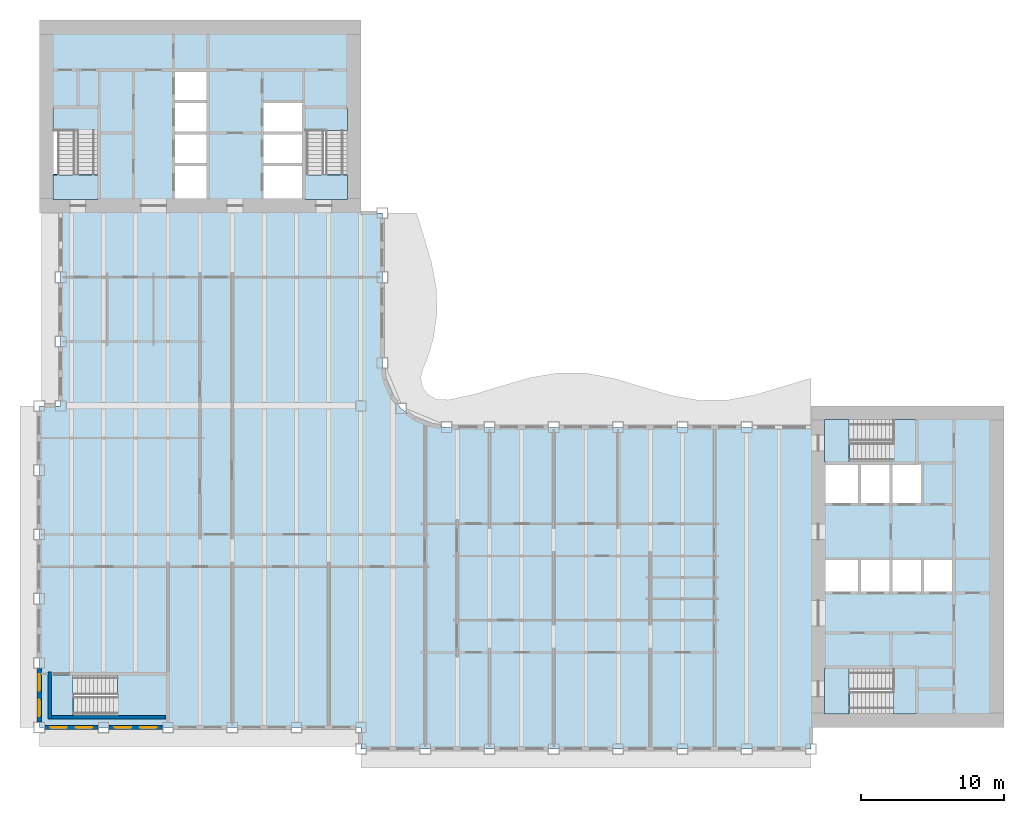
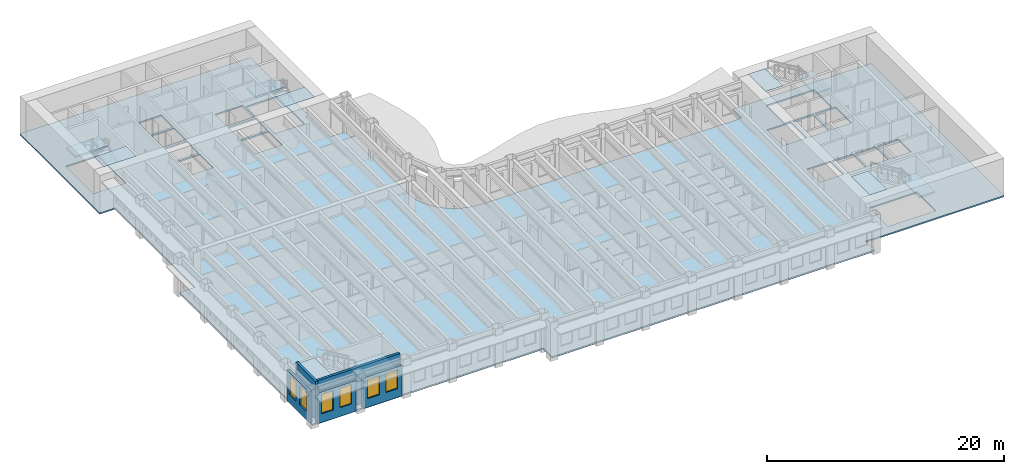
# One storey, part 2 of 16: 11 slabs, 6 windows, 5 walls, 6 openings, 5 elements without a shape of their own.
"""IFC4 building model written with IfcOpenShell, lengths in metres."""

from ifc_helpers import new_model, si_unit, direction, frame, frame_2d, origin, place, context, subcontext, project, spatial, polyline, rectangle, outline, extrude, material, layer, layer_set, type_object, element, fill, aggregate, save


model = new_model("IFC4")

# Units and contexts
model_context = context("Model", 3, precision=1e-05, world=origin(), true_north=direction((0.0, 1.0)))
body_context = subcontext(model_context, "Body", "Model", "MODEL_VIEW")
ifc_project = project(units=[si_unit("LENGTHUNIT", "METRE"), si_unit("AREAUNIT", "SQUARE_METRE"), si_unit("VOLUMEUNIT", "CUBIC_METRE"), si_unit("PLANEANGLEUNIT", "RADIAN"), si_unit("MASSUNIT", "GRAM", prefix="KILO")], contexts=[model_context])

# Site, building, storey
site_placement = place(None, origin())
site = spatial("IfcSite", under=ifc_project, at=site_placement, CompositionType="ELEMENT")
building_placement = place(site_placement, origin())
building = spatial("IfcBuilding", under=site, at=building_placement, Name="Sennacour Bend Tower", CompositionType="ELEMENT")
storey_placement = place(building_placement, frame((0.0, 0.0, 207.0)))
storey = spatial("IfcBuildingStorey", under=building, at=storey_placement, Name="L47", CompositionType="ELEMENT", Elevation=207.0)

# Slabs
ifc_material_1 = material(Name="Concrete C30/37", Category="concrete")
ifc_layer_1 = layer(ifc_material_1, 0.14990234375, Name="Concrete C30/37", Category="concrete")
ifc_layer_set_1 = layer_set([ifc_layer_1], Name="Concrete C30/37")
slab_type_1 = type_object("IfcSlabType", Name="Floor slab 150", PredefinedType="FLOOR", material=ifc_layer_set_1)
slab_1_placement = place(storey_placement, frame((0.0, 0.0, -0.14990234375)))
element("IfcSlab", 1, at=slab_1_placement, inside=storey, type_object=slab_type_1, Name="Floor slab L47-01", PredefinedType="FLOOR", context=body_context, shape_type="SweptSolid", body=[
    extrude(outline(polyline([(22.5, 0.0), (0.0, 0.0), (0.0, 22.5), (1.5, 22.5), (1.5, 36.0), (0.0, 36.0), (0.0, 49.5), (22.5, 49.5), (22.5, 36.0), (24.0, 36.0), (24.0, 25.5), (24.1533203125, 24.335205078125), (24.602783203125, 23.25), (25.318115234375, 22.318115234375), (26.25, 21.602783203125), (27.335205078125, 21.1533203125), (28.5, 21.0), (54.0, 21.0), (54.0, 22.5), (67.5, 22.5), (67.5, 0.0), (54.0, 0.0), (54.0, -1.5), (22.5, -1.5), (22.5, 0.0)]), holes=[polyline([(8.800048828125, 0.949951171875), (8.800048828125, 3.5), (2.429931640625, 3.5), (2.429931640625, 0.949951171875), (8.800048828125, 0.949951171875)]), polyline([(11.699951171875, 37.0), (11.699951171875, 39.300048828125), (9.5, 39.300048828125), (9.5, 37.0), (11.699951171875, 37.0)]), polyline([(18.39990234375, 37.0), (18.39990234375, 39.300048828125), (15.699951171875, 39.300048828125), (15.699951171875, 37.0), (18.39990234375, 37.0)]), polyline([(11.699951171875, 39.5), (11.699951171875, 41.5), (9.5, 41.5), (9.5, 39.5), (11.699951171875, 39.5)]), polyline([(18.39990234375, 39.5), (18.39990234375, 41.5), (15.699951171875, 41.5), (15.699951171875, 39.5), (18.39990234375, 39.5)]), polyline([(4.125, 38.72998046875), (4.125, 43.39990234375), (0.949951171875, 43.39990234375), (0.949951171875, 38.72998046875), (4.125, 38.72998046875)]), polyline([(21.550048828125, 38.72998046875), (21.550048828125, 43.39990234375), (18.574951171875, 43.39990234375), (18.574951171875, 38.72998046875), (21.550048828125, 38.72998046875)]), polyline([(9.5, 41.699951171875), (11.699951171875, 41.699951171875), (11.699951171875, 43.699951171875), (9.5, 43.699951171875), (9.5, 41.699951171875)]), polyline([(15.699951171875, 41.699951171875), (18.39990234375, 41.699951171875), (18.39990234375, 43.699951171875), (15.699951171875, 43.699951171875), (15.699951171875, 41.699951171875)]), polyline([(11.699951171875, 43.89990234375), (11.699951171875, 45.89990234375), (9.5, 45.89990234375), (9.5, 43.89990234375), (11.699951171875, 43.89990234375)]), polyline([(61.39990234375, 0.949951171875), (61.39990234375, 4.125), (56.72998046875, 4.125), (56.72998046875, 0.949951171875), (61.39990234375, 0.949951171875)]), polyline([(57.300048828125, 9.5), (57.300048828125, 11.699951171875), (55.0, 11.699951171875), (55.0, 9.5), (57.300048828125, 9.5)]), polyline([(57.5, 9.5), (59.5, 9.5), (59.5, 11.699951171875), (57.5, 11.699951171875), (57.5, 9.5)]), polyline([(59.699951171875, 9.5), (61.699951171875, 9.5), (61.699951171875, 11.699951171875), (59.699951171875, 11.699951171875), (59.699951171875, 9.5)]), polyline([(63.89990234375, 9.5), (63.89990234375, 11.699951171875), (61.89990234375, 11.699951171875), (61.89990234375, 9.5), (63.89990234375, 9.5)]), polyline([(57.300048828125, 15.699951171875), (57.300048828125, 18.39990234375), (55.0, 18.39990234375), (55.0, 15.699951171875), (57.300048828125, 15.699951171875)]), polyline([(59.5, 15.699951171875), (59.5, 18.39990234375), (57.5, 18.39990234375), (57.5, 15.699951171875), (59.5, 15.699951171875)]), polyline([(59.699951171875, 15.699951171875), (61.699951171875, 15.699951171875), (61.699951171875, 18.39990234375), (59.699951171875, 18.39990234375), (59.699951171875, 15.699951171875)]), polyline([(56.72998046875, 18.574951171875), (61.39990234375, 18.574951171875), (61.39990234375, 21.550048828125), (56.72998046875, 21.550048828125), (56.72998046875, 18.574951171875)])]), origin(), (0.0, 0.0, 1.0), 0.14990234375),
])
ifc_material_2 = material(Name="Concrete C40/50", Category="concrete")
ifc_layer_2 = layer(ifc_material_2, 0.034912109375, Name="Concrete C40/50", Category="concrete")
ifc_layer_set_2 = layer_set([ifc_layer_2], Name="Concrete C40/50")
slab_type_2 = type_object("IfcSlabType", Name="Stair arrival nib 35", PredefinedType="FLOOR", material=ifc_layer_set_2)
slab_2_placement = place(storey_placement, frame((0.0, 0.0, 3.815185546875)))
element("IfcSlab", 2, at=slab_2_placement, inside=storey, type_object=slab_type_2, Name="L47 SA1 stair arrival nib", PredefinedType="FLOOR", context=body_context, shape_type="SweptSolid", body=[
    extrude(outline(polyline([(56.64208984375, 4.125), (54.949951171875, 4.125), (54.949951171875, 0.949951171875), (56.64208984375, 0.949951171875), (56.64208984375, 4.125)])), origin(), (0.0, 0.0, 1.0), 0.034912109375),
])
slab_3_placement = place(storey_placement, frame((0.0, 0.0, 3.815185546875)))
element("IfcSlab", 3, at=slab_3_placement, inside=storey, type_object=slab_type_2, Name="L47 SA2 stair arrival nib", PredefinedType="FLOOR", context=body_context, shape_type="SweptSolid", body=[
    extrude(outline(polyline([(56.64208984375, 21.550048828125), (54.949951171875, 21.550048828125), (54.949951171875, 18.574951171875), (56.64208984375, 18.574951171875), (56.64208984375, 21.550048828125)])), origin(), (0.0, 0.0, 1.0), 0.034912109375),
])
slab_4_placement = place(storey_placement, frame((0.0, 0.0, 3.815185546875)))
element("IfcSlab", 4, at=slab_4_placement, inside=storey, type_object=slab_type_2, Name="L47 SB1 stair arrival nib", PredefinedType="FLOOR", context=body_context, shape_type="SweptSolid", body=[
    extrude(outline(polyline([(0.949951171875, 38.64208984375), (0.949951171875, 36.949951171875), (4.125, 36.949951171875), (4.125, 38.64208984375), (0.949951171875, 38.64208984375)])), origin(), (0.0, 0.0, 1.0), 0.034912109375),
])
slab_5_placement = place(storey_placement, frame((0.0, 0.0, 3.815185546875)))
element("IfcSlab", 5, at=slab_5_placement, inside=storey, type_object=slab_type_2, Name="L47 SB2 stair arrival nib", PredefinedType="FLOOR", context=body_context, shape_type="SweptSolid", body=[
    extrude(outline(polyline([(18.574951171875, 38.64208984375), (18.574951171875, 36.949951171875), (21.550048828125, 36.949951171875), (21.550048828125, 38.64208984375), (18.574951171875, 38.64208984375)])), origin(), (0.0, 0.0, 1.0), 0.034912109375),
])
slab_6_placement = place(storey_placement, frame((0.0, 0.0, 3.815185546875)))
element("IfcSlab", 6, at=slab_6_placement, inside=storey, type_object=slab_type_2, Name="L47 SK1 stair arrival nib", PredefinedType="FLOOR", context=body_context, shape_type="SweptSolid", body=[
    extrude(outline(polyline([(2.342041015625, 3.675048828125), (0.800048828125, 3.675048828125), (0.800048828125, 0.800048828125), (2.342041015625, 0.800048828125), (2.342041015625, 3.675048828125)])), origin(), (0.0, 0.0, 1.0), 0.034912109375),
])

# Stair, slab
stair_type = type_object("IfcStairType", Name="ST-DOGLEG", PredefinedType="HALF_TURN_STAIR", material=ifc_material_2)
stair_1_placement = place(storey_placement, origin())
stair_1 = element("IfcStair", 7, at=stair_1_placement, inside=storey, type_object=stair_type, Name="L47 Exit stair A1", PredefinedType="HALF_TURN_STAIR")
ifc_layer_3 = layer(ifc_material_2, 0.199951171875, Name="Concrete C40/50", Category="concrete")
ifc_layer_set_3 = layer_set([ifc_layer_3], Name="Concrete C40/50")
slab_type_3 = type_object("IfcSlabType", Name="Stair landing 200", PredefinedType="LANDING", material=ifc_layer_set_3)
slab_7_placement = place(storey_placement, frame((0.0, 0.0, 1.800048828125)))
slab_7 = element("IfcSlab", 8, at=slab_7_placement, type_object=slab_type_3, Name="SA1 landing 1", PredefinedType="LANDING", context=body_context, shape_type="SweptSolid", body=[
    extrude(outline(polyline([(59.780029296875, 0.949951171875), (61.324951171875, 0.949951171875), (61.324951171875, 4.125), (59.780029296875, 4.125), (59.780029296875, 0.949951171875)])), origin(), (0.0, 0.0, 1.0), 0.199951171875),
])
aggregate(stair_1, [slab_7])

stair_2_placement = place(storey_placement, origin())
stair_2 = element("IfcStair", 9, at=stair_2_placement, inside=storey, type_object=stair_type, Name="L47 Exit stair A2", PredefinedType="HALF_TURN_STAIR")
slab_8_placement = place(storey_placement, frame((0.0, 0.0, 1.800048828125)))
slab_8 = element("IfcSlab", 10, at=slab_8_placement, type_object=slab_type_3, Name="SA2 landing 1", PredefinedType="LANDING", context=body_context, shape_type="SweptSolid", body=[
    extrude(outline(polyline([(59.780029296875, 18.574951171875), (61.324951171875, 18.574951171875), (61.324951171875, 21.550048828125), (59.780029296875, 21.550048828125), (59.780029296875, 18.574951171875)])), origin(), (0.0, 0.0, 1.0), 0.199951171875),
])
aggregate(stair_2, [slab_8])

stair_3_placement = place(storey_placement, origin())
stair_3 = element("IfcStair", 11, at=stair_3_placement, inside=storey, type_object=stair_type, Name="L47 Exit stair B1", PredefinedType="HALF_TURN_STAIR")
slab_9_placement = place(storey_placement, frame((0.0, 0.0, 1.800048828125)))
slab_9 = element("IfcSlab", 12, at=slab_9_placement, type_object=slab_type_3, Name="SB1 landing 1", PredefinedType="LANDING", context=body_context, shape_type="SweptSolid", body=[
    extrude(outline(polyline([(0.949951171875, 41.780029296875), (4.125, 41.780029296875), (4.125, 43.324951171875), (0.949951171875, 43.324951171875), (0.949951171875, 41.780029296875)])), origin(), (0.0, 0.0, 1.0), 0.199951171875),
])
aggregate(stair_3, [slab_9])

stair_4_placement = place(storey_placement, origin())
stair_4 = element("IfcStair", 13, at=stair_4_placement, inside=storey, type_object=stair_type, Name="L47 Exit stair B2", PredefinedType="HALF_TURN_STAIR")
slab_10_placement = place(storey_placement, frame((0.0, 0.0, 1.800048828125)))
slab_10 = element("IfcSlab", 14, at=slab_10_placement, type_object=slab_type_3, Name="SB2 landing 1", PredefinedType="LANDING", context=body_context, shape_type="SweptSolid", body=[
    extrude(outline(polyline([(18.574951171875, 41.780029296875), (21.550048828125, 41.780029296875), (21.550048828125, 43.324951171875), (18.574951171875, 43.324951171875), (18.574951171875, 41.780029296875)])), origin(), (0.0, 0.0, 1.0), 0.199951171875),
])
aggregate(stair_4, [slab_10])

stair_5_placement = place(storey_placement, origin())
stair_5 = element("IfcStair", 15, at=stair_5_placement, inside=storey, type_object=stair_type, Name="L47 Exit stair K1", PredefinedType="HALF_TURN_STAIR")
slab_11_placement = place(storey_placement, frame((0.0, 0.0, 1.800048828125)))
slab_11 = element("IfcSlab", 16, at=slab_11_placement, type_object=slab_type_3, Name="SK1 landing 1", PredefinedType="LANDING", context=body_context, shape_type="SweptSolid", body=[
    extrude(outline(polyline([(5.47998046875, 0.800048828125), (8.925048828125, 0.800048828125), (8.925048828125, 3.675048828125), (5.47998046875, 3.675048828125), (5.47998046875, 0.800048828125)])), origin(), (0.0, 0.0, 1.0), 0.199951171875),
])
aggregate(stair_5, [slab_11])

# Wall, openings, windows
ifc_material_3 = material(Name="Warm limestone cladding", Category="masonry")
ifc_layer_4 = layer(ifc_material_3, 0.050048828125, Name="Warm limestone cladding", Category="masonry")
ifc_material_4 = material(Name="Precast concrete C40/50", Category="concrete")
ifc_layer_5 = layer(ifc_material_4, 0.25, Name="Precast concrete C40/50", Category="concrete")
ifc_layer_set_4 = layer_set([ifc_layer_4, ifc_layer_5], Name="Precast concrete C40/50 with limestone cladding")
wall_type_1 = type_object("IfcWallType", Name="STONE-CLAD PRECAST SPANDREL 300", PredefinedType="STANDARD", material=ifc_layer_set_4)
wall_1_placement = place(storey_placement, frame((0.0, 4.125, 0.0), z_axis=(0.0, 0.0, 1.0), x_axis=(0.0, -1.0, 0.0)))
wall_1 = element("IfcWall", 17, at=wall_1_placement, inside=storey, type_object=wall_type_1, Name="Stone spandrel and pier wall L47 21.04", PredefinedType="STANDARD", context=body_context, shape_type="SweptSolid", body=[
    extrude(rectangle(XDim=3.75, YDim=0.300048828125, at=frame_2d((1.875, 0.0))), origin(), (0.0, 0.0, 1.0), 3.156982421875),
])
opening_1_placement = place(wall_1_placement, frame((0.41259765625, 0.0, 0.89990234375)))
opening_1 = element("IfcOpeningElement", 18, at=opening_1_placement, cuts=wall_1, Name="Opening W24", PredefinedType="OPENING", context=body_context, shape_type="SweptSolid", body=[
    extrude(rectangle(XDim=1.14990234375, YDim=2.0, at=frame_2d((0.574951171875, 1.0))), frame((0.0, 0.16015625, 0.0), z_axis=(0.0, -1.0, 0.0), x_axis=(1.0, 0.0, 0.0)), (0.0, 0.0, 1.0), 0.320068359375),
])
opening_2_placement = place(wall_1_placement, frame((2.1875, 0.0, 0.89990234375)))
opening_2 = element("IfcOpeningElement", 19, at=opening_2_placement, cuts=wall_1, Name="Opening W24", PredefinedType="OPENING", context=body_context, shape_type="SweptSolid", body=[
    extrude(rectangle(XDim=1.14990234375, YDim=2.0, at=frame_2d((0.574951171875, 1.0))), frame((0.0, 0.16015625, 0.0), z_axis=(0.0, -1.0, 0.0), x_axis=(1.0, 0.0, 0.0)), (0.0, 0.0, 1.0), 0.320068359375),
])
ifc_material_5 = material(Name="Clear low-emissivity glass", Category="glass")
window_type = type_object("IfcWindowType", Name="WIN-RIBBON-1150x2000", PartitioningType="SINGLE_PANEL", PredefinedType="WINDOW", material=ifc_material_5)
window_1_placement = place(opening_1_placement, origin())
window_1 = element("IfcWindow", 20, at=window_1_placement, inside=storey, type_object=window_type, Name="Ribbon window L47 21.04.0", OverallHeight=2.0, OverallWidth=1.14990234375, PartitioningType="SINGLE_PANEL", PredefinedType="WINDOW", context=body_context, shape_type="SweptSolid", body=[
    extrude(rectangle(XDim=1.14990234375, YDim=2.0, at=frame_2d((0.574951171875, 1.0))), frame((0.0, 0.030029296875, 0.0), z_axis=(0.0, -1.0, 0.0), x_axis=(1.0, 0.0, 0.0)), (0.0, 0.0, 1.0), 0.06005859375),
])
fill(opening_1, window_1)
window_2_placement = place(opening_2_placement, origin())
window_2 = element("IfcWindow", 21, at=window_2_placement, inside=storey, type_object=window_type, Name="Ribbon window L47 21.04.1", OverallHeight=2.0, OverallWidth=1.14990234375, PartitioningType="SINGLE_PANEL", PredefinedType="WINDOW", context=body_context, shape_type="SweptSolid", body=[
    extrude(rectangle(XDim=1.14990234375, YDim=2.0, at=frame_2d((0.574951171875, 1.0))), frame((0.0, 0.030029296875, 0.0), z_axis=(0.0, -1.0, 0.0), x_axis=(1.0, 0.0, 0.0)), (0.0, 0.0, 1.0), 0.06005859375),
])
fill(opening_2, window_2)

wall_2_placement = place(storey_placement, frame((0.375, 0.0, 0.0), z_axis=(0.0, 0.0, 1.0), x_axis=(1.0, 0.0, 0.0)))
wall_2 = element("IfcWall", 22, at=wall_2_placement, inside=storey, type_object=wall_type_1, Name="Stone spandrel and pier wall L47 22.00", PredefinedType="STANDARD", context=body_context, shape_type="SweptSolid", body=[
    extrude(rectangle(XDim=3.75, YDim=0.300048828125, at=frame_2d((1.875, 0.0))), origin(), (0.0, 0.0, 1.0), 3.156982421875),
])
opening_3_placement = place(wall_2_placement, frame((0.41259765625, 0.0, 0.89990234375)))
opening_3 = element("IfcOpeningElement", 23, at=opening_3_placement, cuts=wall_2, Name="Opening W24", PredefinedType="OPENING", context=body_context, shape_type="SweptSolid", body=[
    extrude(rectangle(XDim=1.14990234375, YDim=2.0, at=frame_2d((0.574951171875, 1.0))), frame((0.0, 0.16015625, 0.0), z_axis=(0.0, -1.0, 0.0), x_axis=(1.0, 0.0, 0.0)), (0.0, 0.0, 1.0), 0.320068359375),
])
opening_4_placement = place(wall_2_placement, frame((2.1875, 0.0, 0.89990234375)))
opening_4 = element("IfcOpeningElement", 24, at=opening_4_placement, cuts=wall_2, Name="Opening W24", PredefinedType="OPENING", context=body_context, shape_type="SweptSolid", body=[
    extrude(rectangle(XDim=1.14990234375, YDim=2.0, at=frame_2d((0.574951171875, 1.0))), frame((0.0, 0.16015625, 0.0), z_axis=(0.0, -1.0, 0.0), x_axis=(1.0, 0.0, 0.0)), (0.0, 0.0, 1.0), 0.320068359375),
])
window_3_placement = place(opening_3_placement, origin())
window_3 = element("IfcWindow", 25, at=window_3_placement, inside=storey, type_object=window_type, Name="Ribbon window L47 22.00.0", OverallHeight=2.0, OverallWidth=1.14990234375, PartitioningType="SINGLE_PANEL", PredefinedType="WINDOW", context=body_context, shape_type="SweptSolid", body=[
    extrude(rectangle(XDim=1.14990234375, YDim=2.0, at=frame_2d((0.574951171875, 1.0))), frame((0.0, 0.030029296875, 0.0), z_axis=(0.0, -1.0, 0.0), x_axis=(1.0, 0.0, 0.0)), (0.0, 0.0, 1.0), 0.06005859375),
])
fill(opening_3, window_3)
window_4_placement = place(opening_4_placement, origin())
window_4 = element("IfcWindow", 26, at=window_4_placement, inside=storey, type_object=window_type, Name="Ribbon window L47 22.00.1", OverallHeight=2.0, OverallWidth=1.14990234375, PartitioningType="SINGLE_PANEL", PredefinedType="WINDOW", context=body_context, shape_type="SweptSolid", body=[
    extrude(rectangle(XDim=1.14990234375, YDim=2.0, at=frame_2d((0.574951171875, 1.0))), frame((0.0, 0.030029296875, 0.0), z_axis=(0.0, -1.0, 0.0), x_axis=(1.0, 0.0, 0.0)), (0.0, 0.0, 1.0), 0.06005859375),
])
fill(opening_4, window_4)

wall_3_placement = place(storey_placement, frame((4.875, 0.0, 0.0), z_axis=(0.0, 0.0, 1.0), x_axis=(1.0, 0.0, 0.0)))
wall_3 = element("IfcWall", 27, at=wall_3_placement, inside=storey, type_object=wall_type_1, Name="Stone spandrel and pier wall L47 22.01", PredefinedType="STANDARD", context=body_context, shape_type="SweptSolid", body=[
    extrude(rectangle(XDim=3.75, YDim=0.300048828125, at=frame_2d((1.875, 0.0))), origin(), (0.0, 0.0, 1.0), 3.156982421875),
])
opening_5_placement = place(wall_3_placement, frame((0.41259765625, 0.0, 0.89990234375)))
opening_5 = element("IfcOpeningElement", 28, at=opening_5_placement, cuts=wall_3, Name="Opening W24", PredefinedType="OPENING", context=body_context, shape_type="SweptSolid", body=[
    extrude(rectangle(XDim=1.14990234375, YDim=2.0, at=frame_2d((0.574951171875, 1.0))), frame((0.0, 0.16015625, 0.0), z_axis=(0.0, -1.0, 0.0), x_axis=(1.0, 0.0, 0.0)), (0.0, 0.0, 1.0), 0.320068359375),
])
opening_6_placement = place(wall_3_placement, frame((2.1875, 0.0, 0.89990234375)))
opening_6 = element("IfcOpeningElement", 29, at=opening_6_placement, cuts=wall_3, Name="Opening W24", PredefinedType="OPENING", context=body_context, shape_type="SweptSolid", body=[
    extrude(rectangle(XDim=1.14990234375, YDim=2.0, at=frame_2d((0.574951171875, 1.0))), frame((0.0, 0.16015625, 0.0), z_axis=(0.0, -1.0, 0.0), x_axis=(1.0, 0.0, 0.0)), (0.0, 0.0, 1.0), 0.320068359375),
])
window_5_placement = place(opening_5_placement, origin())
window_5 = element("IfcWindow", 30, at=window_5_placement, inside=storey, type_object=window_type, Name="Ribbon window L47 22.01.0", OverallHeight=2.0, OverallWidth=1.14990234375, PartitioningType="SINGLE_PANEL", PredefinedType="WINDOW", context=body_context, shape_type="SweptSolid", body=[
    extrude(rectangle(XDim=1.14990234375, YDim=2.0, at=frame_2d((0.574951171875, 1.0))), frame((0.0, 0.030029296875, 0.0), z_axis=(0.0, -1.0, 0.0), x_axis=(1.0, 0.0, 0.0)), (0.0, 0.0, 1.0), 0.06005859375),
])
fill(opening_5, window_5)
window_6_placement = place(opening_6_placement, origin())
window_6 = element("IfcWindow", 31, at=window_6_placement, inside=storey, type_object=window_type, Name="Ribbon window L47 22.01.1", OverallHeight=2.0, OverallWidth=1.14990234375, PartitioningType="SINGLE_PANEL", PredefinedType="WINDOW", context=body_context, shape_type="SweptSolid", body=[
    extrude(rectangle(XDim=1.14990234375, YDim=2.0, at=frame_2d((0.574951171875, 1.0))), frame((0.0, 0.030029296875, 0.0), z_axis=(0.0, -1.0, 0.0), x_axis=(1.0, 0.0, 0.0)), (0.0, 0.0, 1.0), 0.06005859375),
])
fill(opening_6, window_6)

# Walls
ifc_material_6 = material(Name="Concrete C60/75", Category="concrete")
ifc_layer_6 = layer(ifc_material_6, 0.25, Name="Concrete C60/75", Category="concrete")
ifc_layer_set_5 = layer_set([ifc_layer_6], Name="Concrete C60/75")
wall_type_2 = type_object("IfcWallType", Name="Stair wall 250", PredefinedType="SHEAR", material=ifc_layer_set_5)
wall_4_placement = place(storey_placement, frame((0.72509765625, 0.60009765625, 0.0), z_axis=(0.0, 0.0, 1.0), x_axis=(0.0, 1.0, 0.0)))
element("IfcWall", 32, at=wall_4_placement, inside=storey, type_object=wall_type_2, Name="P-L47-W002", PredefinedType="SHEAR", context=body_context, shape_type="SweptSolid", body=[
    extrude(rectangle(XDim=3.27490234375, YDim=0.25, at=frame_2d((1.637451171875, 0.0))), origin(), (0.0, 0.0, 1.0), 3.85009765625),
])
wall_5_placement = place(storey_placement, frame((0.85009765625, 0.72509765625, 0.0), z_axis=(0.0, 0.0, 1.0), x_axis=(1.0, 0.0, 0.0)))
element("IfcWall", 33, at=wall_5_placement, inside=storey, type_object=wall_type_2, Name="P-L47-W053", PredefinedType="SHEAR", context=body_context, shape_type="SweptSolid", body=[
    extrude(rectangle(XDim=8.02490234375, YDim=0.25, at=frame_2d((4.012451171875, 0.0))), origin(), (0.0, 0.0, 1.0), 3.85009765625),
])

save(model, "model.ifc")
